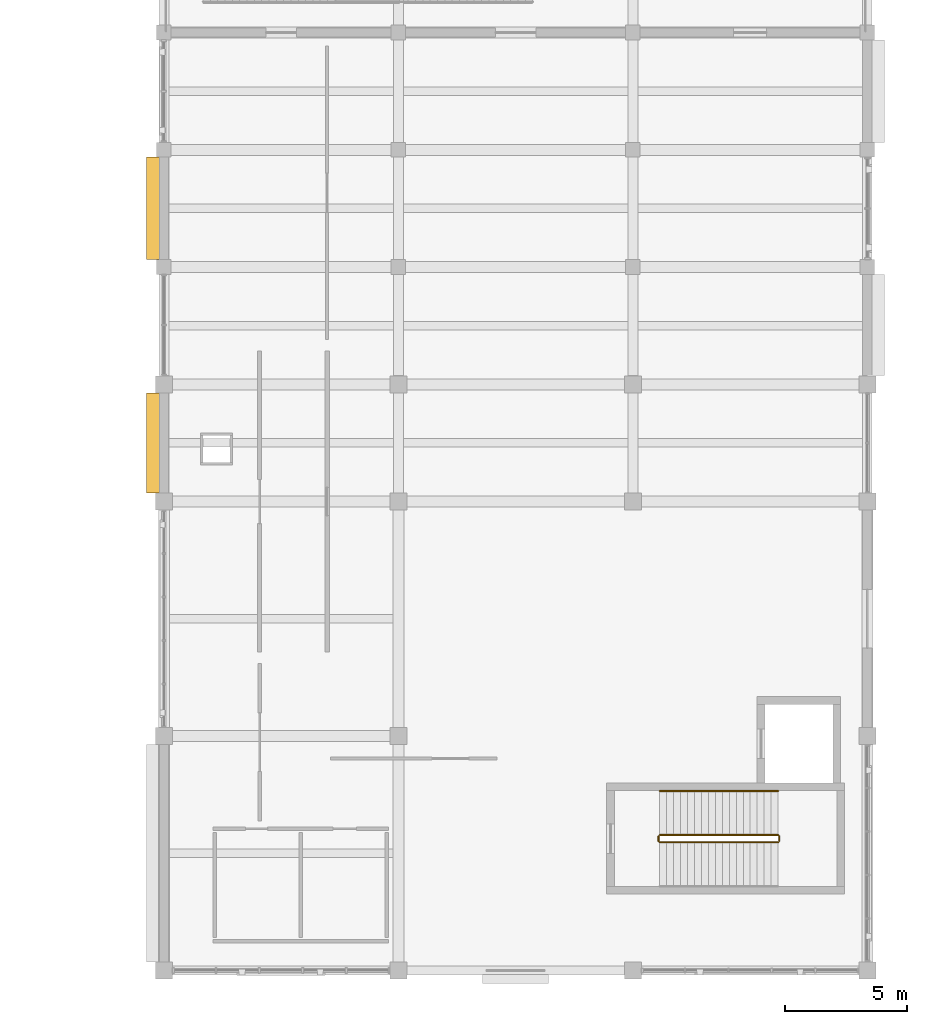
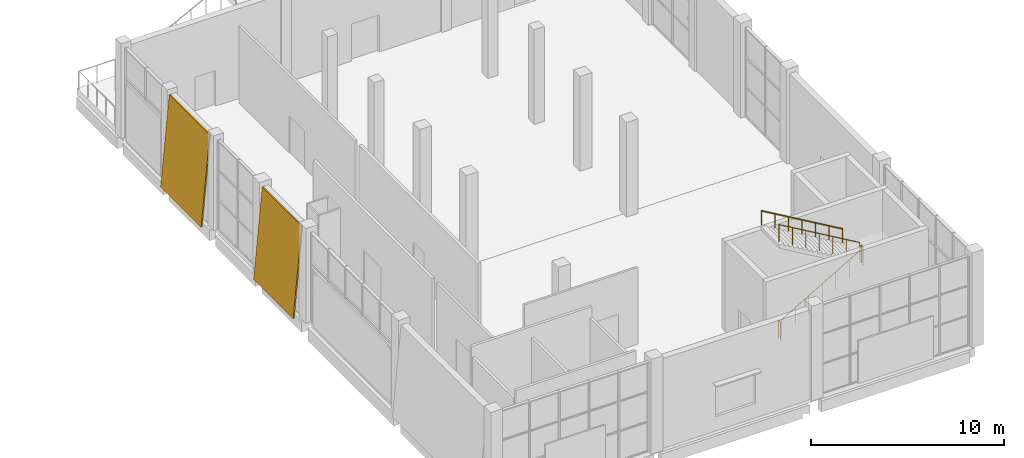
# One storey, part 73 of 84: 5 railings, 2 coverings.
"""IFC4 building model written with IfcOpenShell, lengths in metres."""

from ifc_helpers import new_model, si_unit, direction, frame, origin, origin_2d, place, context, subcontext, project, spatial, polyline, circle, outline, extrude, material, layer, layer_set, type_object, element, save


model = new_model("IFC4")

# Units and contexts
model_context = context("Model", 3, precision=1e-05, world=origin(), true_north=direction((0.0, 1.0)))
body_context = subcontext(model_context, "Body", "Model", "MODEL_VIEW")
ifc_project = project(units=[si_unit("LENGTHUNIT", "METRE"), si_unit("AREAUNIT", "SQUARE_METRE"), si_unit("VOLUMEUNIT", "CUBIC_METRE"), si_unit("PLANEANGLEUNIT", "RADIAN"), si_unit("MASSUNIT", "GRAM", prefix="KILO")], contexts=[model_context])

# Site, building, storey
site_placement = place(None, origin())
site = spatial("IfcSite", under=ifc_project, at=site_placement, CompositionType="ELEMENT")
building_placement = place(site_placement, origin())
building = spatial("IfcBuilding", under=site, at=building_placement, Name="Shalvenor Court Art Gallery", CompositionType="ELEMENT")
storey_placement = place(building_placement, origin())
storey = spatial("IfcBuildingStorey", under=building, at=storey_placement, Name="L00", CompositionType="ELEMENT", Elevation=0.0)

# Coverings
ifc_material_1 = material(Name="Pale Mediterranean limestone cladding", Category="masonry")
ifc_layer = layer(ifc_material_1, 0.080078125, Name="Pale Mediterranean limestone cladding")
ifc_layer_set = layer_set([ifc_layer], Name="Pale Mediterranean limestone cladding")
covering_type = type_object("IfcCoveringType", Name="CLD-01", PredefinedType="CLADDING", material=ifc_layer_set)
covering_1_placement = place(storey_placement, frame((95.293212890625, 23.64990234375, 0.0), z_axis=(0.0, 0.0, 1.0), x_axis=(0.0, -1.0, 0.0)))
element("IfcCovering", 1, at=covering_1_placement, inside=storey, type_object=covering_type, Name="L00 V3 Tapered Limestone Cladding 44", PredefinedType="CLADDING", context=body_context, shape_type="SweptSolid", body=[
    extrude(outline(polyline([(0.0, 0.0), (4.099853515625, 0.0), (4.099853515625, 5.703369140625), (0.0, 5.703369140625), (0.0, 0.0)])), frame((0.0, 0.0, 0.0), z_axis=(0.0, -0.995884398616, 0.090632580198), x_axis=(1.0, 0.0, 0.0)), (0.0, 0.090632580198, -0.995884398616), 0.080322265625),
])
covering_2_placement = place(storey_placement, frame((95.293212890625, 33.300048828125, 0.0), z_axis=(0.0, 0.0, 1.0), x_axis=(0.0, -1.0, 0.0)))
element("IfcCovering", 2, at=covering_2_placement, inside=storey, type_object=covering_type, Name="L00 V3 Tapered Limestone Cladding 45", PredefinedType="CLADDING", context=body_context, shape_type="SweptSolid", body=[
    extrude(outline(polyline([(0.0, 0.0), (4.199951171875, 0.0), (4.199951171875, 5.703369140625), (0.0, 5.703369140625), (0.0, 0.0)])), frame((0.0, 0.0, 0.0), z_axis=(0.0, -0.995884398616, 0.090632580198), x_axis=(1.0, 0.0, 0.0)), (0.0, 0.090632580198, -0.995884398616), 0.080322265625),
])

# Railings
ifc_material_2 = material(Name="Painted steel post-and-rail guard", Category="steel")
railing_type_1 = type_object("IfcRailingType", Name="GR-02", PredefinedType="GUARDRAIL", material=ifc_material_2)
railing_1_placement = place(storey_placement, frame((116.300048828125, 5.25, 0.166748046875)))
element("IfcRailing", 3, at=railing_1_placement, inside=storey, type_object=railing_type_1, Name="L00 ST-04 Stair Guard 1", PredefinedType="GUARDRAIL", context=body_context, shape_type="SweptSolid", body=[
    extrude(circle(Radius=0.02392578125, at=origin_2d()), frame((0.0, 0.0, 1.09619140625), z_axis=(0.863234098208, 0.0, 0.504803815052), x_axis=(0.0, 1.0, 0.0)), (0.0, 0.0, 1.0), 5.612548828125),
    extrude(circle(Radius=0.02099609375, at=origin_2d()), origin(), (0.0, 0.0, 1.0), 1.072021484375),
    extrude(circle(Radius=0.02099609375, at=origin_2d()), frame((0.8076171875, 0.0, 0.47216796875)), (0.0, 0.0, 1.0), 1.072021484375),
    extrude(circle(Radius=0.02099609375, at=origin_2d()), frame((1.614990234375, 0.0, 0.9443359375)), (0.0, 0.0, 1.0), 1.072021484375),
    extrude(circle(Radius=0.02099609375, at=origin_2d()), frame((2.42236328125, 0.0, 1.41650390625)), (0.0, 0.0, 1.0), 1.072021484375),
    extrude(circle(Radius=0.02099609375, at=origin_2d()), frame((3.22998046875, 0.0, 1.888916015625)), (0.0, 0.0, 1.0), 1.072021484375),
    extrude(circle(Radius=0.02099609375, at=origin_2d()), frame((4.03759765625, 0.0, 2.361083984375)), (0.0, 0.0, 1.0), 1.072021484375),
    extrude(circle(Radius=0.02099609375, at=origin_2d()), frame((4.844970703125, 0.0, 2.833251953125)), (0.0, 0.0, 1.0), 1.072021484375),
])
railing_2_placement = place(storey_placement, frame((121.195068359375, 5.300048828125, 3.0)))
element("IfcRailing", 4, at=railing_2_placement, inside=storey, type_object=railing_type_1, Name="L00 ST-04 Stair Guard 2", PredefinedType="GUARDRAIL", context=body_context, shape_type="SweptSolid", body=[
    extrude(circle(Radius=0.02392578125, at=origin_2d()), frame((0.0, 0.0, 1.09619140625), z_axis=(0.0, 1.0, 0.0), x_axis=(-1.0, 0.0, 0.0)), (0.0, 0.0, 1.0), 0.199951171875),
    extrude(circle(Radius=0.02099609375, at=origin_2d()), origin(), (0.0, 0.0, 1.0), 1.072021484375),
    extrude(circle(Radius=0.02099609375, at=origin_2d()), frame((0.0, 0.199951171875, 0.0)), (0.0, 0.0, 1.0), 1.072021484375),
])
railing_3_placement = place(storey_placement, frame((121.14501953125, 5.550048828125, 3.166748046875)))
element("IfcRailing", 5, at=railing_3_placement, inside=storey, type_object=railing_type_1, Name="L00 ST-04 Stair Guard 3", PredefinedType="GUARDRAIL", context=body_context, shape_type="SweptSolid", body=[
    extrude(circle(Radius=0.02392578125, at=origin_2d()), frame((0.0, 0.0, 1.09619140625), z_axis=(-0.863234098208, 0.0, 0.504803815052), x_axis=(0.0, -1.0, 0.0)), (0.0, 0.0, 1.0), 5.612548828125),
    extrude(circle(Radius=0.02099609375, at=origin_2d()), origin(), (0.0, 0.0, 1.0), 1.072021484375),
    extrude(circle(Radius=0.02099609375, at=origin_2d()), frame((-0.8076171875, 0.0, 0.47216796875)), (0.0, 0.0, 1.0), 1.072021484375),
    extrude(circle(Radius=0.02099609375, at=origin_2d()), frame((-1.614990234375, 0.0, 0.9443359375)), (0.0, 0.0, 1.0), 1.072021484375),
    extrude(circle(Radius=0.02099609375, at=origin_2d()), frame((-2.42236328125, 0.0, 1.41650390625)), (0.0, 0.0, 1.0), 1.072021484375),
    extrude(circle(Radius=0.02099609375, at=origin_2d()), frame((-3.22998046875, 0.0, 1.888916015625)), (0.0, 0.0, 1.0), 1.072021484375),
    extrude(circle(Radius=0.02099609375, at=origin_2d()), frame((-4.03759765625, 0.0, 2.361083984375)), (0.0, 0.0, 1.0), 1.072021484375),
    extrude(circle(Radius=0.02099609375, at=origin_2d()), frame((-4.844970703125, 0.0, 2.833251953125)), (0.0, 0.0, 1.0), 1.072021484375),
])
railing_4_placement = place(storey_placement, frame((116.25, 5.300048828125, 0.0)))
element("IfcRailing", 6, at=railing_4_placement, inside=storey, type_object=railing_type_1, Name="L00 ST-04 Stair Guard 4", PredefinedType="GUARDRAIL", context=body_context, shape_type="SweptSolid", body=[
    extrude(circle(Radius=0.02392578125, at=origin_2d()), frame((0.0, 0.0, 1.09619140625), z_axis=(0.0, 1.0, 0.0), x_axis=(-1.0, 0.0, 0.0)), (0.0, 0.0, 1.0), 0.199951171875),
    extrude(circle(Radius=0.02099609375, at=origin_2d()), origin(), (0.0, 0.0, 1.0), 1.072021484375),
    extrude(circle(Radius=0.02099609375, at=origin_2d()), frame((0.0, 0.199951171875, 0.0)), (0.0, 0.0, 1.0), 1.072021484375),
])
ifc_material_3 = material(Name="Brushed stainless steel handrail", Category="steel")
railing_type_2 = type_object("IfcRailingType", Name="HR-01", PredefinedType="HANDRAIL", material=ifc_material_3)
railing_5_placement = place(storey_placement, frame((121.14501953125, 7.35009765625, 3.166748046875)))
element("IfcRailing", 7, at=railing_5_placement, inside=storey, type_object=railing_type_2, Name="L00 ST-04 Stair Handrail 2", PredefinedType="HANDRAIL", context=body_context, shape_type="SweptSolid", body=[
    extrude(circle(Radius=0.02392578125, at=origin_2d()), frame((0.0, 0.0, 0.8759765625), z_axis=(-0.863234098208, 0.0, 0.504803815052), x_axis=(0.0, -1.0, 0.0)), (0.0, 0.0, 1.0), 5.612548828125),
    extrude(circle(Radius=0.02099609375, at=origin_2d()), origin(), (0.0, 0.0, 1.0), 0.851806640625),
    extrude(circle(Radius=0.02099609375, at=origin_2d()), frame((-0.8076171875, 0.0, 0.47216796875)), (0.0, 0.0, 1.0), 0.851806640625),
    extrude(circle(Radius=0.02099609375, at=origin_2d()), frame((-1.614990234375, 0.0, 0.9443359375)), (0.0, 0.0, 1.0), 0.851806640625),
    extrude(circle(Radius=0.02099609375, at=origin_2d()), frame((-2.42236328125, 0.0, 1.41650390625)), (0.0, 0.0, 1.0), 0.851806640625),
    extrude(circle(Radius=0.02099609375, at=origin_2d()), frame((-3.22998046875, 0.0, 1.888916015625)), (0.0, 0.0, 1.0), 0.851806640625),
    extrude(circle(Radius=0.02099609375, at=origin_2d()), frame((-4.03759765625, 0.0, 2.361083984375)), (0.0, 0.0, 1.0), 0.851806640625),
    extrude(circle(Radius=0.02099609375, at=origin_2d()), frame((-4.844970703125, 0.0, 2.833251953125)), (0.0, 0.0, 1.0), 0.851806640625),
])

save(model, "model.ifc")
